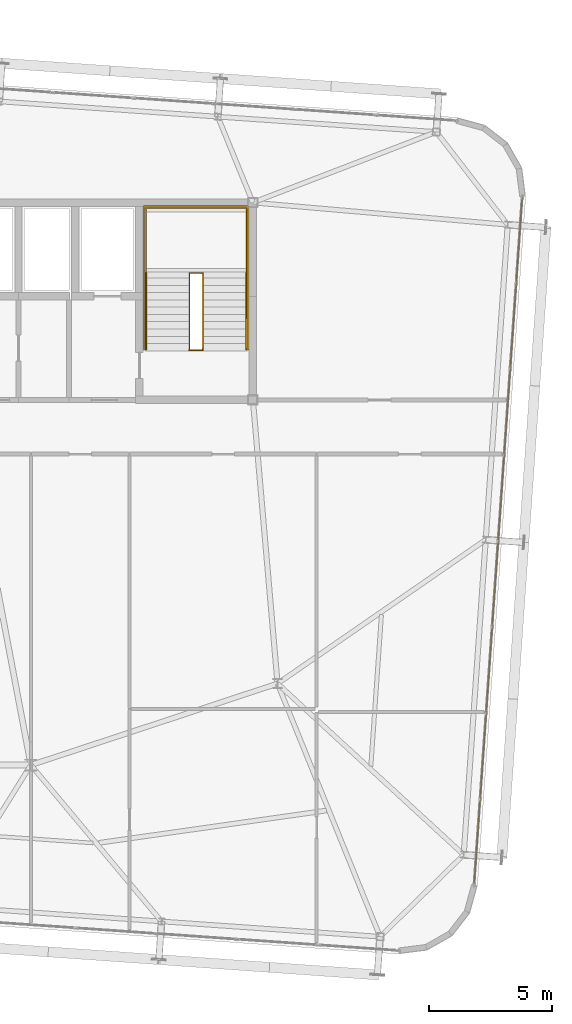
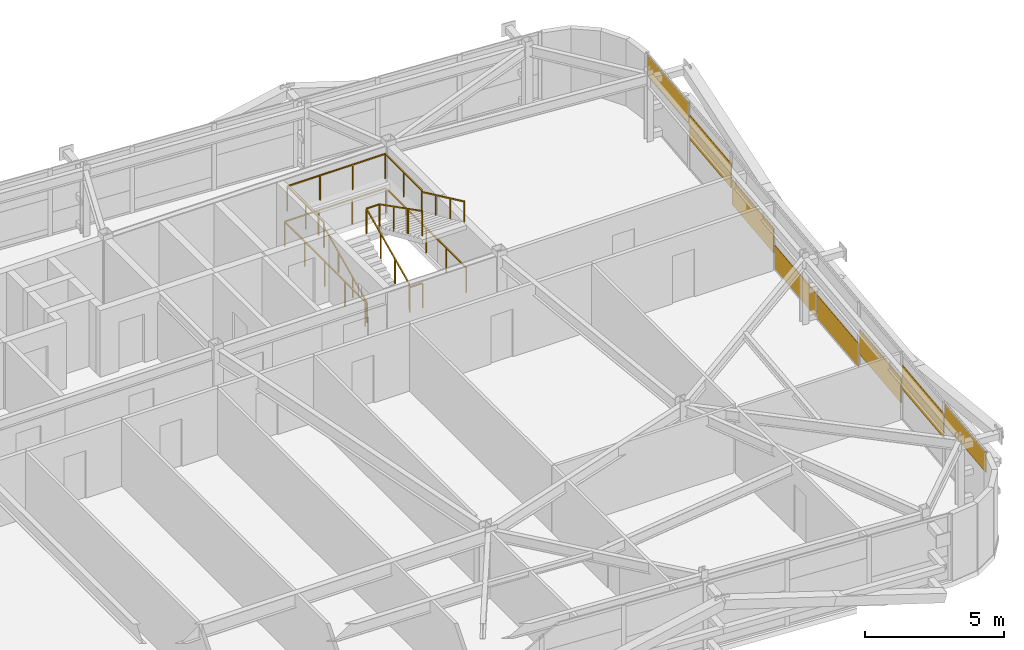
# One storey, part 46 of 47: 8 coverings, 6 railings.
"""IFC4 building model written with IfcOpenShell, lengths in metres."""

import ifcopenshell
import ifcopenshell.guid

model = None  # the IFC model being written
_history = None  # IfcOwnerHistory: only IFC2X3 demands one
_inside = {}  # id of a spatial element -> (the spatial element, [elements in it])
_under = {}  # id of a project, library or spatial element -> (it, [spatial elements below it])
_declared = {}  # id of a project -> (the project, [libraries it declares])
_typed = {}  # id of a type object -> (the type object, [elements of that type])
_made_of = {}  # id of a material, layer set ... -> (it, [elements and type objects made of it])


def new_model(schema):
    """Start an empty IFC model of exactly this schema.

    Asked for "IFC4X3", IfcOpenShell would pick the latest addendum, in which some entities
    have other attributes; the version numbers below select the first issue.
    IFC2X3 requires an IfcOwnerHistory on every rooted entity: one is made here for all.
    """
    global model, _history
    if schema == "IFC4X3":
        model = ifcopenshell.file(schema_version=(4, 3, 0, 0))
    else:
        model = ifcopenshell.file(schema=schema)
    _inside.clear()
    _under.clear()
    _declared.clear()
    _typed.clear()
    _made_of.clear()
    _history = None
    if model.schema == "IFC2X3":
        org = make("IfcOrganization", Name="unknown")
        user = make(
            "IfcPersonAndOrganization",
            ThePerson=make("IfcPerson", FamilyName="unknown"),
            TheOrganization=org,
        )
        app = make(
            "IfcApplication",
            ApplicationDeveloper=org,
            Version="unknown",
            ApplicationFullName="unknown",
            ApplicationIdentifier="unknown",
        )
        _history = make(
            "IfcOwnerHistory",
            OwningUser=user,
            OwningApplication=app,
            ChangeAction="ADDED",
            CreationDate=0,
        )
    return model


def make(cls, **values):
    """One entity of the class cls with the attributes given. An attribute that is None is left unset."""
    return model.create_entity(
        cls, **{name: value for name, value in values.items() if value is not None}
    )


def rooted(cls, **values):
    """An entity with a GlobalId (a new one), such as an element, a storey or a relation."""
    return make(cls, GlobalId=ifcopenshell.guid.new(), OwnerHistory=_history, **values)


def si_unit(unit_type, name, prefix=None):
    """IfcSIUnit, for example si_unit("LENGTHUNIT", "METRE", prefix="MILLI")."""
    return make("IfcSIUnit", UnitType=unit_type, Prefix=prefix, Name=name)


def assignment(units):
    """IfcUnitAssignment: the units of a project."""
    return None if units is None else make("IfcUnitAssignment", Units=units)


def point(xyz):
    """IfcCartesianPoint."""
    return None if xyz is None else make("IfcCartesianPoint", Coordinates=xyz)


def direction(xyz):
    """IfcDirection."""
    return None if xyz is None else make("IfcDirection", DirectionRatios=xyz)


def frame(location, z_axis=None, x_axis=None):
    """IfcAxis2Placement3D, a coordinate frame: its origin and axes. An axis left out is left unset."""
    return make(
        "IfcAxis2Placement3D",
        Location=point(location),
        Axis=direction(z_axis),
        RefDirection=direction(x_axis),
    )


def frame_2d(location, x_axis=None):
    """IfcAxis2Placement2D, a coordinate frame in the plane: its origin and x axis."""
    return make(
        "IfcAxis2Placement2D", Location=point(location), RefDirection=direction(x_axis)
    )


def origin():
    """The frame at (0, 0, 0) with its axes left unset."""
    return frame((0.0, 0.0, 0.0))


def origin_2d():
    """The frame at (0, 0) in the plane with its x axis left unset."""
    return frame_2d((0.0, 0.0))


def place(relative_to, where):
    """IfcLocalPlacement: puts the frame where relative to a parent placement (None: the world)."""
    return make(
        "IfcLocalPlacement", PlacementRelTo=relative_to, RelativePlacement=where
    )


def context(
    kind, dimensions, precision=None, world=None, true_north=None, identifier=None
):
    """IfcGeometricRepresentationContext, for example the 3D "Model" context."""
    return make(
        "IfcGeometricRepresentationContext",
        ContextIdentifier=identifier,
        ContextType=kind,
        CoordinateSpaceDimension=dimensions,
        Precision=precision,
        WorldCoordinateSystem=world,
        TrueNorth=true_north,
    )


def subcontext(parent, identifier, kind, view, scale=None):
    """IfcGeometricRepresentationSubContext, for example "Body" below "Model"."""
    return make(
        "IfcGeometricRepresentationSubContext",
        ContextIdentifier=identifier,
        ContextType=kind,
        ParentContext=parent,
        TargetScale=scale,
        TargetView=view,
    )


def project(units=None, contexts=None):
    """IfcProject with its units and contexts."""
    return rooted(
        "IfcProject",
        Name="project",
        RepresentationContexts=contexts,
        UnitsInContext=assignment(units),
    )


def spatial(cls, under=None, at=None, **own):
    """A site, building, storey or space (cls), placed at a placement, below another one or the project."""
    s = rooted(cls, ObjectPlacement=at, **own)
    if under is not None:
        _under.setdefault(under.id(), (under, []))[1].append(s)
    return s


def profile(cls, at=None, kind="AREA", **sizes):
    """A parametric profile (cls). Its sizes go by their IFC names, for example OverallWidth=200.0."""
    return make(cls, ProfileType=kind, Position=at, **sizes)


def rectangle(**sizes):
    """IfcRectangleProfileDef."""
    return profile("IfcRectangleProfileDef", **sizes)


def extrude(swept, where, along, depth):
    """IfcExtrudedAreaSolid: the profile swept, set in the frame where, extruded along a direction by depth."""
    return make(
        "IfcExtrudedAreaSolid",
        SweptArea=swept,
        Position=where,
        ExtrudedDirection=direction(along),
        Depth=depth,
    )


def shape(context_of_items, identifier, shape_type, items):
    """IfcShapeRepresentation: the items that make up one representation, for example the "Body"."""
    return make(
        "IfcShapeRepresentation",
        ContextOfItems=context_of_items,
        RepresentationIdentifier=identifier,
        RepresentationType=shape_type,
        Items=items,
    )


def source(mapping_origin, context_of_items, identifier, shape_type, items):
    """IfcRepresentationMap: a shape defined once, which mapped items show again and again."""
    return make(
        "IfcRepresentationMap",
        MappingOrigin=mapping_origin,
        MappedRepresentation=shape(context_of_items, identifier, shape_type, items),
    )


def transform(
    local_origin,
    x_axis=None,
    y_axis=None,
    z_axis=None,
    scale=None,
    scale2=None,
    scale3=None,
    uniform=True,
):
    """IfcCartesianTransformationOperator3D, or its non-uniform kind. x_axis, y_axis, z_axis: its Axis1, 2, 3."""
    if uniform:
        return make(
            "IfcCartesianTransformationOperator3D",
            Axis1=direction(x_axis),
            Axis2=direction(y_axis),
            LocalOrigin=point(local_origin),
            Scale=scale,
            Axis3=direction(z_axis),
        )
    return make(
        "IfcCartesianTransformationOperator3DnonUniform",
        Axis1=direction(x_axis),
        Axis2=direction(y_axis),
        LocalOrigin=point(local_origin),
        Scale=scale,
        Axis3=direction(z_axis),
        Scale2=scale2,
        Scale3=scale3,
    )


def mapped(mapping_source, mapping_target):
    """IfcMappedItem: shows the shape of a source again, moved by a transform."""
    return make(
        "IfcMappedItem", MappingSource=mapping_source, MappingTarget=mapping_target
    )


def material(Name=None, Category=None):
    """IfcMaterial."""
    return make("IfcMaterial", Name=Name, Category=Category)


def layer(
    of_material, thickness, ventilated=None, Name=None, Category=None, Priority=None
):
    """IfcMaterialLayer: one layer of a wall or slab, of a material (None: an air gap)."""
    return make(
        "IfcMaterialLayer",
        Material=of_material,
        LayerThickness=thickness,
        IsVentilated=ventilated,
        Name=Name,
        Category=Category,
        Priority=Priority,
    )


def layer_set(layers, Name=None):
    """IfcMaterialLayerSet."""
    return make("IfcMaterialLayerSet", MaterialLayers=layers, LayerSetName=Name)


def made_of(thing, what):
    """Note that an element or type object is made of a material, layer set ...; save() writes the relation."""
    if what is not None:
        _made_of.setdefault(what.id(), (what, []))[1].append(thing)
    return thing


def type_object(cls, material=None, **own):
    """A type object (cls), such as IfcWallType, which elements share."""
    return made_of(rooted(cls, **own), material)


def element(
    cls,
    number,
    at=None,
    inside=None,
    cuts=None,
    type_object=None,
    material=None,
    context=None,
    identifier="Body",
    shape_type=None,
    held_by="IfcProductDefinitionShape",
    body=None,
    shapes=None,
    **own,
):
    """One element of the class cls, such as IfcWall. Its Tag is "e" and its number.

    at: its placement. inside: the storey or other place that contains it. cuts: it is an
    opening in that element (IfcRelVoidsElement). A single representation is given by context,
    identifier, shape_type and body (its items); several are given by shapes. held_by: the class
    of the entity that holds the representations. save() writes the other relations.
    """
    e = rooted(cls, Tag="e%d" % number, ObjectPlacement=at, **own)
    if body is not None:
        shapes = [shape(context, identifier, shape_type, body)]
    if shapes is not None:
        e.Representation = make(held_by, Representations=shapes)
    if inside is not None:
        _inside.setdefault(inside.id(), (inside, []))[1].append(e)
    if cuts is not None:
        rooted(
            "IfcRelVoidsElement", RelatingBuildingElement=cuts, RelatedOpeningElement=e
        )
    if type_object is not None:
        _typed.setdefault(type_object.id(), (type_object, []))[1].append(e)
    return made_of(e, material)


def aggregate(whole, parts):
    """IfcRelAggregates: a whole, such as a stair, and the parts it consists of."""
    return rooted("IfcRelAggregates", RelatingObject=whole, RelatedObjects=parts)


def save(model, path):
    """Write the relations noted so far, then the file.

    IfcRelAggregates (storeys below a building ...), IfcRelContainedInSpatialStructure (elements
    in a storey), IfcRelDefinesByType, IfcRelAssociatesMaterial and IfcRelDeclares: one each for
    every whole, place, type object, material and project.
    """
    for whole, parts in _under.values():
        aggregate(whole, parts)
    for where, things in _inside.values():
        rooted(
            "IfcRelContainedInSpatialStructure",
            RelatedElements=things,
            RelatingStructure=where,
        )
    for kind, things in _typed.values():
        rooted("IfcRelDefinesByType", RelatedObjects=things, RelatingType=kind)
    for what, things in _made_of.values():
        rooted("IfcRelAssociatesMaterial", RelatedObjects=things, RelatingMaterial=what)
    for by, libraries in _declared.values():
        rooted("IfcRelDeclares", RelatingContext=by, RelatedDefinitions=libraries)
    model.write(path)


model = new_model("IFC4")

# Units and contexts
model_context = context("Model", 3, precision=1e-05, world=origin(), true_north=direction((0.0, 1.0)))
body_context = subcontext(model_context, "Body", "Model", "MODEL_VIEW")
ifc_project = project(units=[si_unit("LENGTHUNIT", "METRE"), si_unit("AREAUNIT", "SQUARE_METRE"), si_unit("VOLUMEUNIT", "CUBIC_METRE"), si_unit("PLANEANGLEUNIT", "RADIAN"), si_unit("MASSUNIT", "GRAM", prefix="KILO")], contexts=[model_context])

# Site, building, storey
site_placement = place(None, origin())
site = spatial("IfcSite", under=ifc_project, at=site_placement, CompositionType="ELEMENT")
building_placement = place(site_placement, origin())
building = spatial("IfcBuilding", under=site, at=building_placement, Name="Taldren Reach Tower", CompositionType="ELEMENT")
storey_placement = place(building_placement, frame((0.0, 0.0, 142.449951171875)))
storey = spatial("IfcBuildingStorey", under=building, at=storey_placement, Name="L43", CompositionType="ELEMENT", Elevation=142.449951171875)

# Railings
ifc_material_1 = material(Name="Steel Gr 350 (C350L0)", Category="steel")
ifc_layer_1 = layer(ifc_material_1, 0.050048828125)
ifc_layer_set_1 = layer_set([ifc_layer_1], Name="Steel Gr 350 (C350L0)")
railing_type_1 = type_object("IfcRailingType", Name="RL-STAIR-GR", PredefinedType="GUARDRAIL", material=ifc_layer_set_1)
railing_1_placement = place(storey_placement, frame((46.659912109375, 29.135009765625, 1.574951171875)))
element("IfcRailing", 1, at=railing_1_placement, inside=storey, type_object=railing_type_1, Name="Stair half-landing perimeter guard ST2-L43", PredefinedType="GUARDRAIL", context=body_context, shape_type="SweptSolid", body=[
    extrude(rectangle(XDim=0.047852, YDim=0.047852, at=origin_2d()), frame((0.0, 0.0, 1.09619140625), z_axis=(0.0, 1.0, 0.0), x_axis=(-1.0, 0.0, 0.0)), (0.0, 0.0, 1.0), 2.64501953125),
    extrude(rectangle(XDim=0.047852, YDim=0.047852, at=origin_2d()), frame((0.0, 2.64501953125, 1.09619140625), z_axis=(1.0, 0.0, 0.0), x_axis=(0.0, 1.0, 0.0)), (0.0, 0.0, 1.0), 4.080078125),
    extrude(rectangle(XDim=0.047852, YDim=0.047852, at=origin_2d()), frame((4.080078125, 2.64501953125, 1.09619140625), z_axis=(0.0, -1.0, 0.0), x_axis=(1.0, 0.0, 0.0)), (0.0, 0.0, 1.0), 2.64501953125),
    extrude(rectangle(XDim=0.041992, YDim=0.041992, at=origin_2d()), origin(), (0.0, 0.0, 1.0), 1.072021484375),
    extrude(rectangle(XDim=0.041992, YDim=0.041992, at=origin_2d()), frame((0.0, 1.322509765625, 0.0)), (0.0, 0.0, 1.0), 1.072021484375),
    extrude(rectangle(XDim=0.041992, YDim=0.041992, at=origin_2d()), frame((0.0, 2.64501953125, 0.0)), (0.0, 0.0, 1.0), 1.072021484375),
    extrude(rectangle(XDim=0.041992, YDim=0.041992, at=origin_2d()), frame((1.360107421875, 2.64501953125, 0.0)), (0.0, 0.0, 1.0), 1.072021484375),
    extrude(rectangle(XDim=0.041992, YDim=0.041992, at=origin_2d()), frame((2.719970703125, 2.64501953125, 0.0)), (0.0, 0.0, 1.0), 1.072021484375),
    extrude(rectangle(XDim=0.041992, YDim=0.041992, at=origin_2d()), frame((4.080078125, 2.64501953125, 0.0)), (0.0, 0.0, 1.0), 1.072021484375),
    extrude(rectangle(XDim=0.041992, YDim=0.041992, at=origin_2d()), frame((4.080078125, 1.322509765625, 0.0)), (0.0, 0.0, 1.0), 1.072021484375),
    extrude(rectangle(XDim=0.041992, YDim=0.041992, at=origin_2d()), frame((4.080078125, 0.0, 0.0)), (0.0, 0.0, 1.0), 1.072021484375),
])
railing_2_placement = place(storey_placement, frame((48.429931640625, 26.050048828125, 0.13134765625)))
element("IfcRailing", 2, at=railing_2_placement, inside=storey, type_object=railing_type_1, Name="Stairwell inner guard ST2-L43", PredefinedType="GUARDRAIL", context=body_context, shape_type="SweptSolid", body=[
    extrude(rectangle(XDim=0.047852, YDim=0.047852, at=origin_2d()), frame((0.0, 0.0, 1.09619140625), z_axis=(0.0, 0.905737652094, 0.423838773095), x_axis=(-1.0, 0.0, 0.0)), (0.0, 0.0, 1.0), 3.406005859375),
    extrude(rectangle(XDim=0.047852, YDim=0.047852, at=origin_2d()), frame((0.0, 3.0849609375, 2.53955078125), z_axis=(1.0, 0.0, 0.0), x_axis=(0.0, 1.0, 0.0)), (0.0, 0.0, 1.0), 0.5400390625),
    extrude(rectangle(XDim=0.047852, YDim=0.047852, at=origin_2d()), frame((0.5400390625, 3.0849609375, 2.53955078125), z_axis=(0.0, -0.890617412389, 0.454753366946), x_axis=(1.0, 0.0, 0.0)), (0.0, 0.0, 1.0), 3.4638671875),
    extrude(rectangle(XDim=0.041992, YDim=0.041992, at=origin_2d()), origin(), (0.0, 0.0, 1.0), 1.072021484375),
    extrude(rectangle(XDim=0.041992, YDim=0.041992, at=origin_2d()), frame((0.0, 1.0283203125, 0.481201171875)), (0.0, 0.0, 1.0), 1.072021484375),
    extrude(rectangle(XDim=0.041992, YDim=0.041992, at=origin_2d()), frame((0.0, 2.056640625, 0.96240234375)), (0.0, 0.0, 1.0), 1.072021484375),
    extrude(rectangle(XDim=0.041992, YDim=0.041992, at=origin_2d()), frame((0.0, 3.0849609375, 1.443603515625)), (0.0, 0.0, 1.0), 1.072021484375),
    extrude(rectangle(XDim=0.041992, YDim=0.041992, at=origin_2d()), frame((0.5400390625, 3.0849609375, 1.443603515625)), (0.0, 0.0, 1.0), 1.072021484375),
    extrude(rectangle(XDim=0.041992, YDim=0.041992, at=origin_2d()), frame((0.5400390625, 2.056640625, 1.96875)), (0.0, 0.0, 1.0), 1.072021484375),
    extrude(rectangle(XDim=0.041992, YDim=0.041992, at=origin_2d()), frame((0.5400390625, 1.0283203125, 2.49365234375)), (0.0, 0.0, 1.0), 1.072021484375),
    extrude(rectangle(XDim=0.041992, YDim=0.041992, at=origin_2d()), frame((0.5400390625, 0.0, 3.018798828125)), (0.0, 0.0, 1.0), 1.072021484375),
])
railing_3_placement = place(storey_placement, frame((48.429931640625, 26.010009765625, 0.0)))
element("IfcRailing", 3, at=railing_3_placement, inside=storey, type_object=railing_type_1, Name="Stairwell landing slot guard ST2-L43", PredefinedType="GUARDRAIL", context=body_context, shape_type="SweptSolid", body=[
    extrude(rectangle(XDim=0.047852, YDim=0.047852, at=origin_2d()), frame((0.0, 0.0, 1.09619140625), z_axis=(1.0, 0.0, 0.0), x_axis=(0.0, 1.0, 0.0)), (0.0, 0.0, 1.0), 0.5400390625),
    extrude(rectangle(XDim=0.041992, YDim=0.041992, at=origin_2d()), origin(), (0.0, 0.0, 1.0), 1.072021484375),
    extrude(rectangle(XDim=0.041992, YDim=0.041992, at=origin_2d()), frame((0.5400390625, 0.0, 0.0)), (0.0, 0.0, 1.0), 1.072021484375),
])
railing_4_placement = place(storey_placement, frame((46.590087890625, 26.050048828125, 0.0)))
element("IfcRailing", 4, at=railing_4_placement, inside=storey, type_object=railing_type_1, Name="Stairwell floor opening guard ST2-L43", PredefinedType="GUARDRAIL", context=body_context, shape_type="SweptSolid", body=[
    extrude(rectangle(XDim=0.047852, YDim=0.047852, at=origin_2d()), frame((0.0, 0.0, 1.09619140625), z_axis=(0.0, 1.0, 0.0), x_axis=(-1.0, 0.0, 0.0)), (0.0, 0.0, 1.0), 5.800048828125),
    extrude(rectangle(XDim=0.047852, YDim=0.047852, at=origin_2d()), frame((0.0, 5.800048828125, 1.09619140625), z_axis=(1.0, 0.0, 0.0), x_axis=(0.0, 1.0, 0.0)), (0.0, 0.0, 1.0), 4.219970703125),
    extrude(rectangle(XDim=0.047852, YDim=0.047852, at=origin_2d()), frame((4.219970703125, 5.800048828125, 1.09619140625), z_axis=(0.0, -1.0, 0.0), x_axis=(1.0, 0.0, 0.0)), (0.0, 0.0, 1.0), 5.800048828125),
    extrude(rectangle(XDim=0.041992, YDim=0.041992, at=origin_2d()), origin(), (0.0, 0.0, 1.0), 1.072021484375),
    extrude(rectangle(XDim=0.041992, YDim=0.041992, at=origin_2d()), frame((0.0, 1.449951171875, 0.0)), (0.0, 0.0, 1.0), 1.072021484375),
    extrude(rectangle(XDim=0.041992, YDim=0.041992, at=origin_2d()), frame((0.0, 2.89990234375, 0.0)), (0.0, 0.0, 1.0), 1.072021484375),
    extrude(rectangle(XDim=0.041992, YDim=0.041992, at=origin_2d()), frame((0.0, 4.35009765625, 0.0)), (0.0, 0.0, 1.0), 1.072021484375),
    extrude(rectangle(XDim=0.041992, YDim=0.041992, at=origin_2d()), frame((0.0, 5.800048828125, 0.0)), (0.0, 0.0, 1.0), 1.072021484375),
    extrude(rectangle(XDim=0.041992, YDim=0.041992, at=origin_2d()), frame((1.40673828125, 5.800048828125, 0.0)), (0.0, 0.0, 1.0), 1.072021484375),
    extrude(rectangle(XDim=0.041992, YDim=0.041992, at=origin_2d()), frame((2.813232421875, 5.800048828125, 0.0)), (0.0, 0.0, 1.0), 1.072021484375),
    extrude(rectangle(XDim=0.041992, YDim=0.041992, at=origin_2d()), frame((4.219970703125, 5.800048828125, 0.0)), (0.0, 0.0, 1.0), 1.072021484375),
    extrude(rectangle(XDim=0.041992, YDim=0.041992, at=origin_2d()), frame((4.219970703125, 4.35009765625, 0.0)), (0.0, 0.0, 1.0), 1.072021484375),
    extrude(rectangle(XDim=0.041992, YDim=0.041992, at=origin_2d()), frame((4.219970703125, 2.89990234375, 0.0)), (0.0, 0.0, 1.0), 1.072021484375),
    extrude(rectangle(XDim=0.041992, YDim=0.041992, at=origin_2d()), frame((4.219970703125, 1.449951171875, 0.0)), (0.0, 0.0, 1.0), 1.072021484375),
    extrude(rectangle(XDim=0.041992, YDim=0.041992, at=origin_2d()), frame((4.219970703125, 0.0, 0.0)), (0.0, 0.0, 1.0), 1.072021484375),
])
ifc_material_2 = material(Name="Stainless Steel Gr 316", Category="steel")
ifc_layer_2 = layer(ifc_material_2, 0.048095703125)
ifc_layer_set_2 = layer_set([ifc_layer_2], Name="Stainless Steel Gr 316")
railing_type_2 = type_object("IfcRailingType", Name="RL-STAIR-HR", PredefinedType="HANDRAIL", material=ifc_layer_set_2)
railing_5_placement = place(storey_placement, frame((46.669921875, 26.050048828125, 0.13134765625)))
element("IfcRailing", 5, at=railing_5_placement, inside=storey, type_object=railing_type_2, Name="Stair flight handrail ST2-L43-1", PredefinedType="HANDRAIL", context=body_context, shape_type="SweptSolid", body=[
    extrude(rectangle(XDim=0.047852, YDim=0.047852, at=origin_2d()), frame((0.0, 0.0, 0.89599609375), z_axis=(0.0, 0.905737652094, 0.423838773095), x_axis=(-1.0, 0.0, 0.0)), (0.0, 0.0, 1.0), 3.406005859375),
    extrude(rectangle(XDim=0.041992, YDim=0.041992, at=origin_2d()), origin(), (0.0, 0.0, 1.0), 0.871826171875),
    extrude(rectangle(XDim=0.041992, YDim=0.041992, at=origin_2d()), frame((0.0, 1.0283203125, 0.481201171875)), (0.0, 0.0, 1.0), 0.871826171875),
    extrude(rectangle(XDim=0.041992, YDim=0.041992, at=origin_2d()), frame((0.0, 2.056640625, 0.96240234375)), (0.0, 0.0, 1.0), 0.871826171875),
    extrude(rectangle(XDim=0.041992, YDim=0.041992, at=origin_2d()), frame((0.0, 3.0849609375, 1.443603515625)), (0.0, 0.0, 1.0), 0.871826171875),
])
railing_6_placement = place(storey_placement, frame((50.72998046875, 29.135009765625, 1.706298828125)))
element("IfcRailing", 6, at=railing_6_placement, inside=storey, type_object=railing_type_2, Name="Stair flight handrail ST2-L43-2", PredefinedType="HANDRAIL", context=body_context, shape_type="SweptSolid", body=[
    extrude(rectangle(XDim=0.047852, YDim=0.047852, at=origin_2d()), frame((0.0, 0.0, 0.89599609375), z_axis=(0.0, -0.905710134349, 0.423897573167), x_axis=(1.0, 0.0, 0.0)), (0.0, 0.0, 1.0), 3.406005859375),
    extrude(rectangle(XDim=0.041992, YDim=0.041992, at=origin_2d()), origin(), (0.0, 0.0, 1.0), 0.871826171875),
    extrude(rectangle(XDim=0.041992, YDim=0.041992, at=origin_2d()), frame((0.0, -1.0283203125, 0.481201171875)), (0.0, 0.0, 1.0), 0.871826171875),
    extrude(rectangle(XDim=0.041992, YDim=0.041992, at=origin_2d()), frame((0.0, -2.056640625, 0.962646484375)), (0.0, 0.0, 1.0), 0.871826171875),
    extrude(rectangle(XDim=0.041992, YDim=0.041992, at=origin_2d()), frame((0.0, -3.0849609375, 1.44384765625)), (0.0, 0.0, 1.0), 0.871826171875),
])

# Coverings
ifc_material_3 = material(Name="Pale Champagne Fluoropolymer Aluminium Spandrel Cladding", Category="aluminium")
ifc_layer_3 = layer(ifc_material_3, 0.0439453125)
ifc_layer_set_3 = layer_set([ifc_layer_3], Name="Pale Champagne Fluoropolymer Aluminium Spandrel Cladding")
covering_type = type_object("IfcCoveringType", Name="CV-CLAD-044", PredefinedType="CLADDING", material=ifc_layer_set_3)
shared_shape_1 = source(origin(), body_context, "Body", "SweptSolid", [
    extrude(rectangle(XDim=3.429931640625, YDim=0.0439453125, at=origin_2d()), origin(), (0.0, 0.0, 1.0), 1.078369140625),
])
for number, where, z_axis, x_axis, name in (
    (7, (60.336669921875, 9.5673828125, 1.341796875), (0.0, 0.0, 1.0), (0.069756437251, 0.997564052812, 0.0), "Diagrid closure cladding strip CW-4 panel 2.1 1"),
    (8, (60.580810546875, 13.058837890625, 0.677734375), (0.0, 0.0, 1.0), (0.069756437251, 0.997564052812, 0.0), "Diagrid closure cladding strip CW-4 panel 3.1 1"),
    (9, (61.313232421875, 23.533203125, 0.677734375), (0.0, 0.0, 1.0), (0.069756437251, 0.997564052812, 0.0), "Diagrid closure cladding strip CW-4 panel 6.1 1"),
    (10, (61.557373046875, 27.024658203125, 1.341796875), (0.0, 0.0, 1.0), (0.069756437251, 0.997564052812, 0.0), "Diagrid closure cladding strip CW-4 panel 7.1 1"),
):
    element("IfcCovering", number, at=place(storey_placement, frame(where, z_axis=z_axis, x_axis=x_axis)), inside=storey, type_object=covering_type, Name=name, PredefinedType="CLADDING", context=body_context, shape_type="MappedRepresentation", body=[
        mapped(shared_shape_1, transform((0.0, 0.0, 0.0), scale=1.0)),
    ])
shared_shape_2 = source(origin(), body_context, "Body", "SweptSolid", [
    extrude(rectangle(XDim=3.39501953125, YDim=0.0439453125, at=origin_2d()), origin(), (0.0, 0.0, 1.0), 0.86865234375),
])
for number, where, z_axis, x_axis, name in (
    (11, (60.09375, 6.093505859375, 2.00634765625), (0.0, 0.0, 1.0), (0.069756437251, 0.997564052812, 0.0), "Diagrid closure cladding strip CW-4 panel 1.1 1"),
    (12, (61.80029296875, 30.498779296875, 2.00634765625), (0.0, 0.0, 1.0), (0.069756437251, 0.997564052812, 0.0), "Diagrid closure cladding strip CW-4 panel 8.1 1"),
):
    element("IfcCovering", number, at=place(storey_placement, frame(where, z_axis=z_axis, x_axis=x_axis)), inside=storey, type_object=covering_type, Name=name, PredefinedType="CLADDING", context=body_context, shape_type="MappedRepresentation", body=[
        mapped(shared_shape_2, transform((0.0, 0.0, 0.0), scale=1.0)),
    ])
shared_shape_3 = source(origin(), body_context, "Body", "SweptSolid", [
    extrude(rectangle(XDim=3.429931640625, YDim=0.0439453125, at=origin_2d()), origin(), (0.0, 0.0, 1.0), 1.036376953125),
])
for number, where, z_axis, x_axis, name in (
    (13, (60.824951171875, 16.55029296875, 0.05517578125), (0.0, 0.0, 1.0), (0.069756437251, 0.997564052812, 0.0), "Diagrid closure cladding strip CW-4 panel 4.1 1"),
    (14, (61.069091796875, 20.041748046875, 0.05517578125), (0.0, 0.0, 1.0), (0.069756437251, 0.997564052812, 0.0), "Diagrid closure cladding strip CW-4 panel 5.1 1"),
):
    element("IfcCovering", number, at=place(storey_placement, frame(where, z_axis=z_axis, x_axis=x_axis)), inside=storey, type_object=covering_type, Name=name, PredefinedType="CLADDING", context=body_context, shape_type="MappedRepresentation", body=[
        mapped(shared_shape_3, transform((0.0, 0.0, 0.0), scale=1.0)),
    ])

save(model, "model.ifc")
